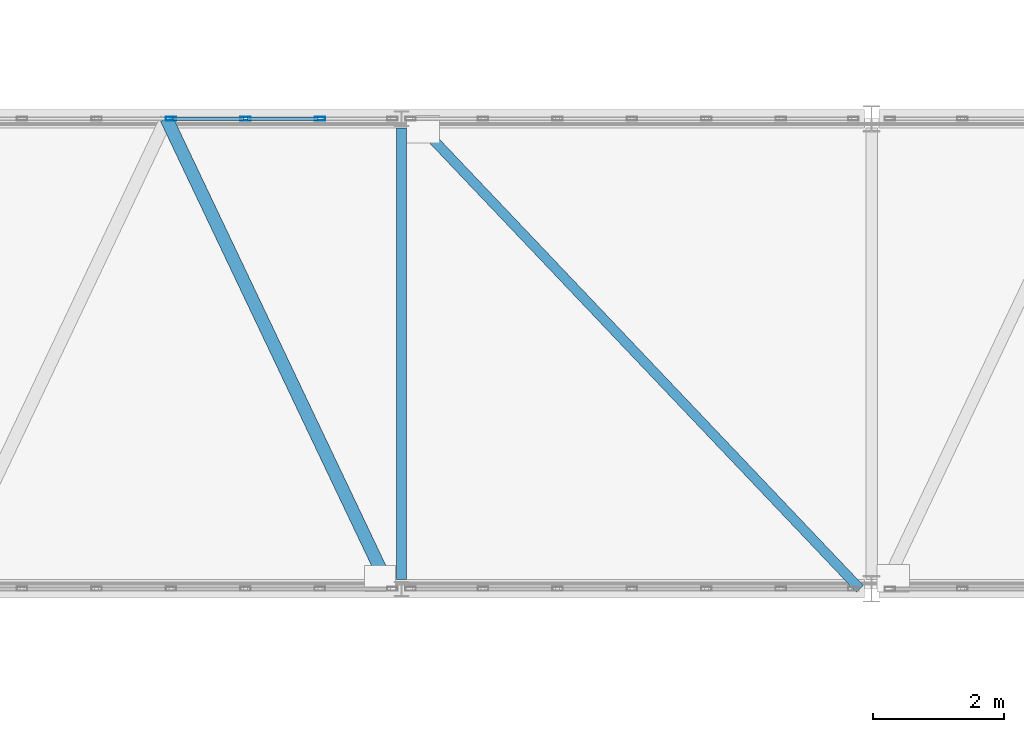
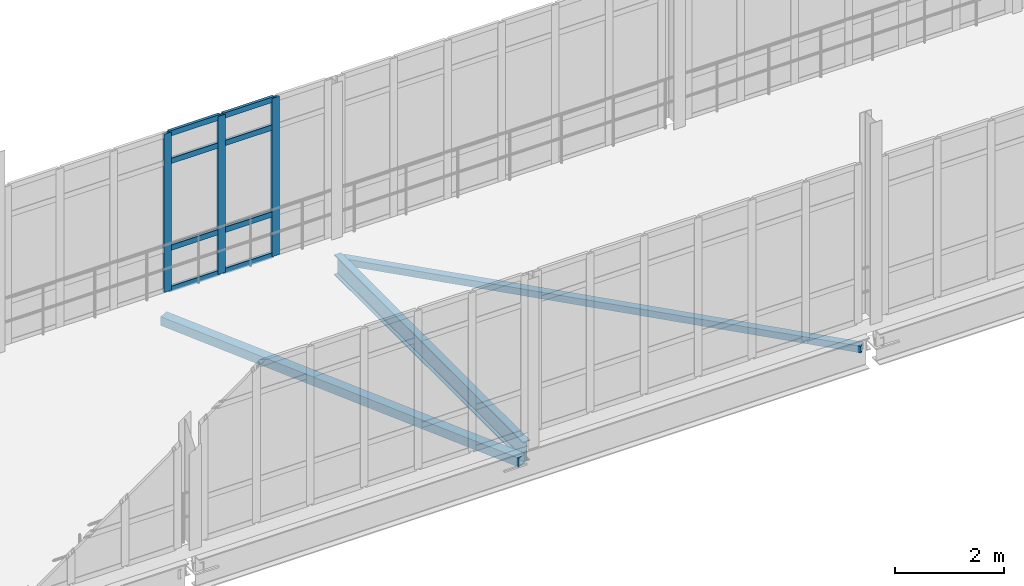
# One storey, part 24 of 116: 13 members, 1 beam, 1 element without a shape of its own.
"""IFC4 building model written with IfcOpenShell, lengths in metres."""

import ifcopenshell
import ifcopenshell.guid

model = None  # the IFC model being written
_history = None  # IfcOwnerHistory: only IFC2X3 demands one
_inside = {}  # id of a spatial element -> (the spatial element, [elements in it])
_under = {}  # id of a project, library or spatial element -> (it, [spatial elements below it])
_declared = {}  # id of a project -> (the project, [libraries it declares])
_typed = {}  # id of a type object -> (the type object, [elements of that type])
_made_of = {}  # id of a material, layer set ... -> (it, [elements and type objects made of it])


def new_model(schema):
    """Start an empty IFC model of exactly this schema.

    Asked for "IFC4X3", IfcOpenShell would pick the latest addendum, in which some entities
    have other attributes; the version numbers below select the first issue.
    IFC2X3 requires an IfcOwnerHistory on every rooted entity: one is made here for all.
    """
    global model, _history
    if schema == "IFC4X3":
        model = ifcopenshell.file(schema_version=(4, 3, 0, 0))
    else:
        model = ifcopenshell.file(schema=schema)
    _inside.clear()
    _under.clear()
    _declared.clear()
    _typed.clear()
    _made_of.clear()
    _history = None
    if model.schema == "IFC2X3":
        org = make("IfcOrganization", Name="unknown")
        user = make(
            "IfcPersonAndOrganization",
            ThePerson=make("IfcPerson", FamilyName="unknown"),
            TheOrganization=org,
        )
        app = make(
            "IfcApplication",
            ApplicationDeveloper=org,
            Version="unknown",
            ApplicationFullName="unknown",
            ApplicationIdentifier="unknown",
        )
        _history = make(
            "IfcOwnerHistory",
            OwningUser=user,
            OwningApplication=app,
            ChangeAction="ADDED",
            CreationDate=0,
        )
    return model


def make(cls, **values):
    """One entity of the class cls with the attributes given. An attribute that is None is left unset."""
    return model.create_entity(
        cls, **{name: value for name, value in values.items() if value is not None}
    )


def rooted(cls, **values):
    """An entity with a GlobalId (a new one), such as an element, a storey or a relation."""
    return make(cls, GlobalId=ifcopenshell.guid.new(), OwnerHistory=_history, **values)


def si_unit(unit_type, name, prefix=None):
    """IfcSIUnit, for example si_unit("LENGTHUNIT", "METRE", prefix="MILLI")."""
    return make("IfcSIUnit", UnitType=unit_type, Prefix=prefix, Name=name)


def assignment(units):
    """IfcUnitAssignment: the units of a project."""
    return None if units is None else make("IfcUnitAssignment", Units=units)


def point(xyz):
    """IfcCartesianPoint."""
    return None if xyz is None else make("IfcCartesianPoint", Coordinates=xyz)


def direction(xyz):
    """IfcDirection."""
    return None if xyz is None else make("IfcDirection", DirectionRatios=xyz)


def frame(location, z_axis=None, x_axis=None):
    """IfcAxis2Placement3D, a coordinate frame: its origin and axes. An axis left out is left unset."""
    return make(
        "IfcAxis2Placement3D",
        Location=point(location),
        Axis=direction(z_axis),
        RefDirection=direction(x_axis),
    )


def frame_2d(location, x_axis=None):
    """IfcAxis2Placement2D, a coordinate frame in the plane: its origin and x axis."""
    return make(
        "IfcAxis2Placement2D", Location=point(location), RefDirection=direction(x_axis)
    )


def origin():
    """The frame at (0, 0, 0) with its axes left unset."""
    return frame((0.0, 0.0, 0.0))


def origin_2d():
    """The frame at (0, 0) in the plane with its x axis left unset."""
    return frame_2d((0.0, 0.0))


def place(relative_to, where):
    """IfcLocalPlacement: puts the frame where relative to a parent placement (None: the world)."""
    return make(
        "IfcLocalPlacement", PlacementRelTo=relative_to, RelativePlacement=where
    )


def context(
    kind, dimensions, precision=None, world=None, true_north=None, identifier=None
):
    """IfcGeometricRepresentationContext, for example the 3D "Model" context."""
    return make(
        "IfcGeometricRepresentationContext",
        ContextIdentifier=identifier,
        ContextType=kind,
        CoordinateSpaceDimension=dimensions,
        Precision=precision,
        WorldCoordinateSystem=world,
        TrueNorth=true_north,
    )


def subcontext(parent, identifier, kind, view, scale=None):
    """IfcGeometricRepresentationSubContext, for example "Body" below "Model"."""
    return make(
        "IfcGeometricRepresentationSubContext",
        ContextIdentifier=identifier,
        ContextType=kind,
        ParentContext=parent,
        TargetScale=scale,
        TargetView=view,
    )


def project(units=None, contexts=None):
    """IfcProject with its units and contexts."""
    return rooted(
        "IfcProject",
        Name="project",
        RepresentationContexts=contexts,
        UnitsInContext=assignment(units),
    )


def spatial(cls, under=None, at=None, **own):
    """A site, building, storey or space (cls), placed at a placement, below another one or the project."""
    s = rooted(cls, ObjectPlacement=at, **own)
    if under is not None:
        _under.setdefault(under.id(), (under, []))[1].append(s)
    return s


def profile(cls, at=None, kind="AREA", **sizes):
    """A parametric profile (cls). Its sizes go by their IFC names, for example OverallWidth=200.0."""
    return make(cls, ProfileType=kind, Position=at, **sizes)


def hollow_rectangle(**sizes):
    """IfcRectangleHollowProfileDef."""
    return profile("IfcRectangleHollowProfileDef", **sizes)


def i_section(**sizes):
    """IfcIShapeProfileDef."""
    return profile("IfcIShapeProfileDef", **sizes)


def extrude(swept, where, along, depth):
    """IfcExtrudedAreaSolid: the profile swept, set in the frame where, extruded along a direction by depth."""
    return make(
        "IfcExtrudedAreaSolid",
        SweptArea=swept,
        Position=where,
        ExtrudedDirection=direction(along),
        Depth=depth,
    )


def shape(context_of_items, identifier, shape_type, items):
    """IfcShapeRepresentation: the items that make up one representation, for example the "Body"."""
    return make(
        "IfcShapeRepresentation",
        ContextOfItems=context_of_items,
        RepresentationIdentifier=identifier,
        RepresentationType=shape_type,
        Items=items,
    )


def material(Name=None, Category=None):
    """IfcMaterial."""
    return make("IfcMaterial", Name=Name, Category=Category)


def material_profile(
    of_material, cross_section, Name=None, Category=None, Priority=None
):
    """IfcMaterialProfile: a cross section and its material."""
    return make(
        "IfcMaterialProfile",
        Name=Name,
        Material=of_material,
        Profile=cross_section,
        Priority=Priority,
        Category=Category,
    )


def profile_set(profiles, Name=None, composite=None):
    """IfcMaterialProfileSet."""
    return make(
        "IfcMaterialProfileSet",
        Name=Name,
        MaterialProfiles=profiles,
        CompositeProfile=composite,
    )


def made_of(thing, what):
    """Note that an element or type object is made of a material, layer set ...; save() writes the relation."""
    if what is not None:
        _made_of.setdefault(what.id(), (what, []))[1].append(thing)
    return thing


def type_object(cls, material=None, **own):
    """A type object (cls), such as IfcWallType, which elements share."""
    return made_of(rooted(cls, **own), material)


def element(
    cls,
    number,
    at=None,
    inside=None,
    cuts=None,
    type_object=None,
    material=None,
    context=None,
    identifier="Body",
    shape_type=None,
    held_by="IfcProductDefinitionShape",
    body=None,
    shapes=None,
    **own,
):
    """One element of the class cls, such as IfcWall. Its Tag is "e" and its number.

    at: its placement. inside: the storey or other place that contains it. cuts: it is an
    opening in that element (IfcRelVoidsElement). A single representation is given by context,
    identifier, shape_type and body (its items); several are given by shapes. held_by: the class
    of the entity that holds the representations. save() writes the other relations.
    """
    e = rooted(cls, Tag="e%d" % number, ObjectPlacement=at, **own)
    if body is not None:
        shapes = [shape(context, identifier, shape_type, body)]
    if shapes is not None:
        e.Representation = make(held_by, Representations=shapes)
    if inside is not None:
        _inside.setdefault(inside.id(), (inside, []))[1].append(e)
    if cuts is not None:
        rooted(
            "IfcRelVoidsElement", RelatingBuildingElement=cuts, RelatedOpeningElement=e
        )
    if type_object is not None:
        _typed.setdefault(type_object.id(), (type_object, []))[1].append(e)
    return made_of(e, material)


def aggregate(whole, parts):
    """IfcRelAggregates: a whole, such as a stair, and the parts it consists of."""
    return rooted("IfcRelAggregates", RelatingObject=whole, RelatedObjects=parts)


def save(model, path):
    """Write the relations noted so far, then the file.

    IfcRelAggregates (storeys below a building ...), IfcRelContainedInSpatialStructure (elements
    in a storey), IfcRelDefinesByType, IfcRelAssociatesMaterial and IfcRelDeclares: one each for
    every whole, place, type object, material and project.
    """
    for whole, parts in _under.values():
        aggregate(whole, parts)
    for where, things in _inside.values():
        rooted(
            "IfcRelContainedInSpatialStructure",
            RelatedElements=things,
            RelatingStructure=where,
        )
    for kind, things in _typed.values():
        rooted("IfcRelDefinesByType", RelatedObjects=things, RelatingType=kind)
    for what, things in _made_of.values():
        rooted("IfcRelAssociatesMaterial", RelatedObjects=things, RelatingMaterial=what)
    for by, libraries in _declared.values():
        rooted("IfcRelDeclares", RelatingContext=by, RelatedDefinitions=libraries)
    model.write(path)


model = new_model("IFC4")

# Units and contexts
model_context = context("Model", 3, precision=1e-05, world=origin(), true_north=direction((0.0, 1.0)))
body_context = subcontext(model_context, "Body", "Model", "MODEL_VIEW")
ifc_project = project(units=[si_unit("LENGTHUNIT", "METRE"), si_unit("AREAUNIT", "SQUARE_METRE"), si_unit("VOLUMEUNIT", "CUBIC_METRE"), si_unit("PLANEANGLEUNIT", "RADIAN"), si_unit("MASSUNIT", "GRAM", prefix="KILO")], contexts=[model_context])

# Site, building, storey
site_placement = place(None, origin())
site = spatial("IfcSite", under=ifc_project, at=site_placement, CompositionType="ELEMENT")
building_placement = place(site_placement, origin())
building = spatial("IfcBuilding", under=site, at=building_placement, Name="Kalluvel Institute of Natural Sciences", CompositionType="ELEMENT")
storey_placement = place(building_placement, frame((0.0, 0.0, 14.39990234375)))
storey = spatial("IfcBuildingStorey", under=building, at=storey_placement, Name="L03", CompositionType="ELEMENT", Elevation=14.39990234375)

# Beam
ifc_material_1 = material(Name="Steel E350 Grade 350", Category="steel")
ifc_material_profile_1 = material_profile(ifc_material_1, i_section(OverallWidth=0.14990234375, OverallDepth=0.449951171875, WebThickness=0.009521484375, FlangeThickness=0.017333984375, FilletRadius=0.014892578125, at=origin_2d()), Name="ISMB 450")
ifc_profile_set_1 = profile_set([ifc_material_profile_1], Name="Steel E350 Grade 350")
beam_type = type_object("IfcBeamType", Name="BM-ISMB450", PredefinedType="BEAM", material=ifc_profile_set_1)
beam_placement = place(storey_placement, frame((57.199951171875, 28.5400390625, -0.544921875), z_axis=(0.0, 1.0, 0.0), x_axis=(-1.0, 0.0, 0.0)))
element("IfcBeam", 1, at=beam_placement, inside=storey, type_object=beam_type, Name="L03 link bridge cross girder 65", PredefinedType="BEAM", context=body_context, shape_type="SweptSolid", body=[
    extrude(i_section(OverallWidth=0.14990234375, OverallDepth=0.449951171875, WebThickness=0.009521484375, FlangeThickness=0.017333984375, FilletRadius=0.014892578125, at=origin_2d()), origin(), (0.0, 0.0, 1.0), 6.919921875),
])

# Curtain wall, members
ifc_material_2 = material(Name="Aluminium AW-6063 T6", Category="aluminium")
curtain_wall_type = type_object("IfcCurtainWallType", Name="CW-BRG-45", PredefinedType="USERDEFINED", material=ifc_material_2)
curtain_wall_placement = place(storey_placement, origin())
curtain_wall = element("IfcCurtainWall", 2, at=curtain_wall_placement, inside=storey, type_object=curtain_wall_type, Name="L03 Gothic lancet curtain wall CWA-L03-X502-Y356", ObjectType="UNITISED LANCET FACADE", PredefinedType="USERDEFINED")
ifc_material_profile_2 = material_profile(ifc_material_2, hollow_rectangle(XDim=0.06005859375, YDim=0.159912109375, WallThickness=0.00390625, at=origin_2d()), Name="CWM 60x160")
ifc_profile_set_2 = profile_set([ifc_material_profile_2], Name="Aluminium AW-6063 T6")
member_type_1 = type_object("IfcMemberType", Name="CWM-60x160", PredefinedType="MULLION", material=ifc_profile_set_2)
member_1_placement = place(storey_placement, frame((53.669921875, 35.60009765625, 0.0), z_axis=(0.0, 0.0, 1.0), x_axis=(0.0, 1.0, 0.0)))
member_1 = element("IfcMember", 3, at=member_1_placement, type_object=member_type_1, Name="CW-07 mullion 4", PredefinedType="MULLION", context=body_context, shape_type="SweptSolid", body=[
    extrude(hollow_rectangle(XDim=0.06005859375, YDim=0.159912109375, WallThickness=0.00390625, at=origin_2d()), origin(), (0.0, 0.0, 1.0), 3.5400390625),
])
member_2_placement = place(storey_placement, frame((54.81005859375, 35.60009765625, 0.0), z_axis=(0.0, 0.0, 1.0), x_axis=(0.0, 1.0, 0.0)))
member_2 = element("IfcMember", 4, at=member_2_placement, type_object=member_type_1, Name="CW-07 mullion 5", PredefinedType="MULLION", context=body_context, shape_type="SweptSolid", body=[
    extrude(hollow_rectangle(XDim=0.06005859375, YDim=0.159912109375, WallThickness=0.00390625, at=origin_2d()), origin(), (0.0, 0.0, 1.0), 3.5400390625),
])
member_3_placement = place(storey_placement, frame((55.949951171875, 35.60009765625, 0.0), z_axis=(0.0, 0.0, 1.0), x_axis=(0.0, 1.0, 0.0)))
member_3 = element("IfcMember", 5, at=member_3_placement, type_object=member_type_1, Name="CW-07 mullion 6", PredefinedType="MULLION", context=body_context, shape_type="SweptSolid", body=[
    extrude(hollow_rectangle(XDim=0.06005859375, YDim=0.159912109375, WallThickness=0.00390625, at=origin_2d()), origin(), (0.0, 0.0, 1.0), 3.5400390625),
])
ifc_material_profile_3 = material_profile(ifc_material_2, hollow_rectangle(XDim=0.06005859375, YDim=0.1201171875, WallThickness=0.00390625, at=origin_2d()), Name="CWT 60x120")
ifc_profile_set_3 = profile_set([ifc_material_profile_3], Name="Aluminium AW-6063 T6")
member_type_2 = type_object("IfcMemberType", Name="CWT-60x120", PredefinedType="USERDEFINED", material=ifc_profile_set_3)
member_4_placement = place(storey_placement, frame((53.699951171875, 35.60009765625, 0.030029296875), z_axis=(1.0, 0.0, 0.0), x_axis=(0.0, 1.0, 0.0)))
member_4 = element("IfcMember", 6, at=member_4_placement, type_object=member_type_2, Name="CW-07 transom 4.1", ObjectType="TRANSOM", PredefinedType="USERDEFINED", context=body_context, shape_type="SweptSolid", body=[
    extrude(hollow_rectangle(XDim=0.06005859375, YDim=0.1201171875, WallThickness=0.00390625, at=origin_2d()), origin(), (0.0, 0.0, 1.0), 1.080078125),
])
member_5_placement = place(storey_placement, frame((53.699951171875, 35.60009765625, 0.9501953125), z_axis=(1.0, 0.0, 0.0), x_axis=(0.0, 1.0, 0.0)))
member_5 = element("IfcMember", 7, at=member_5_placement, type_object=member_type_2, Name="CW-07 transom 4.2", ObjectType="TRANSOM", PredefinedType="USERDEFINED", context=body_context, shape_type="SweptSolid", body=[
    extrude(hollow_rectangle(XDim=0.06005859375, YDim=0.1201171875, WallThickness=0.00390625, at=origin_2d()), origin(), (0.0, 0.0, 1.0), 1.080078125),
])
member_6_placement = place(storey_placement, frame((53.699951171875, 35.60009765625, 2.89013671875), z_axis=(1.0, 0.0, 0.0), x_axis=(0.0, 1.0, 0.0)))
member_6 = element("IfcMember", 8, at=member_6_placement, type_object=member_type_2, Name="CW-07 transom 4.3", ObjectType="TRANSOM", PredefinedType="USERDEFINED", context=body_context, shape_type="SweptSolid", body=[
    extrude(hollow_rectangle(XDim=0.06005859375, YDim=0.1201171875, WallThickness=0.00390625, at=origin_2d()), origin(), (0.0, 0.0, 1.0), 1.080078125),
])
member_7_placement = place(storey_placement, frame((53.699951171875, 35.60009765625, 3.510009765625), z_axis=(1.0, 0.0, 0.0), x_axis=(0.0, 1.0, 0.0)))
member_7 = element("IfcMember", 9, at=member_7_placement, type_object=member_type_2, Name="CW-07 transom 4.4", ObjectType="TRANSOM", PredefinedType="USERDEFINED", context=body_context, shape_type="SweptSolid", body=[
    extrude(hollow_rectangle(XDim=0.06005859375, YDim=0.1201171875, WallThickness=0.00390625, at=origin_2d()), origin(), (0.0, 0.0, 1.0), 1.080078125),
])
member_8_placement = place(storey_placement, frame((54.840087890625, 35.60009765625, 0.030029296875), z_axis=(1.0, 0.0, 0.0), x_axis=(0.0, 1.0, 0.0)))
member_8 = element("IfcMember", 10, at=member_8_placement, type_object=member_type_2, Name="CW-07 transom 5.1", ObjectType="TRANSOM", PredefinedType="USERDEFINED", context=body_context, shape_type="SweptSolid", body=[
    extrude(hollow_rectangle(XDim=0.06005859375, YDim=0.1201171875, WallThickness=0.00390625, at=origin_2d()), origin(), (0.0, 0.0, 1.0), 1.079833984375),
])
member_9_placement = place(storey_placement, frame((54.840087890625, 35.60009765625, 0.9501953125), z_axis=(1.0, 0.0, 0.0), x_axis=(0.0, 1.0, 0.0)))
member_9 = element("IfcMember", 11, at=member_9_placement, type_object=member_type_2, Name="CW-07 transom 5.2", ObjectType="TRANSOM", PredefinedType="USERDEFINED", context=body_context, shape_type="SweptSolid", body=[
    extrude(hollow_rectangle(XDim=0.06005859375, YDim=0.1201171875, WallThickness=0.00390625, at=origin_2d()), origin(), (0.0, 0.0, 1.0), 1.079833984375),
])
member_10_placement = place(storey_placement, frame((54.840087890625, 35.60009765625, 2.89013671875), z_axis=(1.0, 0.0, 0.0), x_axis=(0.0, 1.0, 0.0)))
member_10 = element("IfcMember", 12, at=member_10_placement, type_object=member_type_2, Name="CW-07 transom 5.3", ObjectType="TRANSOM", PredefinedType="USERDEFINED", context=body_context, shape_type="SweptSolid", body=[
    extrude(hollow_rectangle(XDim=0.06005859375, YDim=0.1201171875, WallThickness=0.00390625, at=origin_2d()), origin(), (0.0, 0.0, 1.0), 1.079833984375),
])
member_11_placement = place(storey_placement, frame((54.840087890625, 35.60009765625, 3.510009765625), z_axis=(1.0, 0.0, 0.0), x_axis=(0.0, 1.0, 0.0)))
member_11 = element("IfcMember", 13, at=member_11_placement, type_object=member_type_2, Name="CW-07 transom 5.4", ObjectType="TRANSOM", PredefinedType="USERDEFINED", context=body_context, shape_type="SweptSolid", body=[
    extrude(hollow_rectangle(XDim=0.06005859375, YDim=0.1201171875, WallThickness=0.00390625, at=origin_2d()), origin(), (0.0, 0.0, 1.0), 1.079833984375),
])
aggregate(curtain_wall, [member_1, member_2, member_3, member_4, member_5, member_6, member_7, member_8, member_9, member_10, member_11])

# Members
ifc_material_profile_4 = material_profile(ifc_material_1, hollow_rectangle(XDim=0.14990234375, YDim=0.14990234375, WallThickness=0.008056640625, at=origin_2d()), Name="SHS 150x150x8")
ifc_profile_set_4 = profile_set([ifc_material_profile_4], Name="Steel E350 Grade 350")
member_type_3 = type_object("IfcMemberType", Name="MB-BR-SHS150", PredefinedType="BRACE", material=ifc_profile_set_4)
member_12_placement = place(storey_placement, frame((57.3798828125, 35.60009765625, -0.599853515625), z_axis=(0.688744293312, -0.725004343732, 0.0), x_axis=(0.725004343732, 0.688744293312, 0.0)))
element("IfcMember", 14, at=member_12_placement, inside=storey, type_object=member_type_3, Name="L03 link bridge horizontal plan brace L03-04-1", PredefinedType="BRACE", context=body_context, shape_type="SweptSolid", body=[
    extrude(hollow_rectangle(XDim=0.14990234375, YDim=0.14990234375, WallThickness=0.008056640625, at=origin_2d()), origin(), (0.0, 0.0, 1.0), 9.93115234375),
])
ifc_material_profile_5 = material_profile(ifc_material_1, hollow_rectangle(XDim=0.199951171875, YDim=0.199951171875, WallThickness=0.010009765625, at=origin_2d()), Name="SHS 200x200x10")
ifc_profile_set_5 = profile_set([ifc_material_profile_5], Name="Steel E350 Grade 350")
member_type_4 = type_object("IfcMemberType", Name="MB-BR-SHS200", PredefinedType="BRACE", material=ifc_profile_set_5)
member_13_placement = place(storey_placement, frame((53.60009765625, 35.60009765625, -0.599853515625), z_axis=(0.429039321605, -0.903285813304, 0.0), x_axis=(0.903285813304, 0.429039321605, 0.0)))
element("IfcMember", 15, at=member_13_placement, inside=storey, type_object=member_type_4, Name="L03 link bridge horizontal plan brace L03-03-2", PredefinedType="BRACE", context=body_context, shape_type="SweptSolid", body=[
    extrude(hollow_rectangle(XDim=0.199951171875, YDim=0.199951171875, WallThickness=0.010009765625, at=origin_2d()), origin(), (0.0, 0.0, 1.0), 7.97119140625),
])

save(model, "model.ifc")
